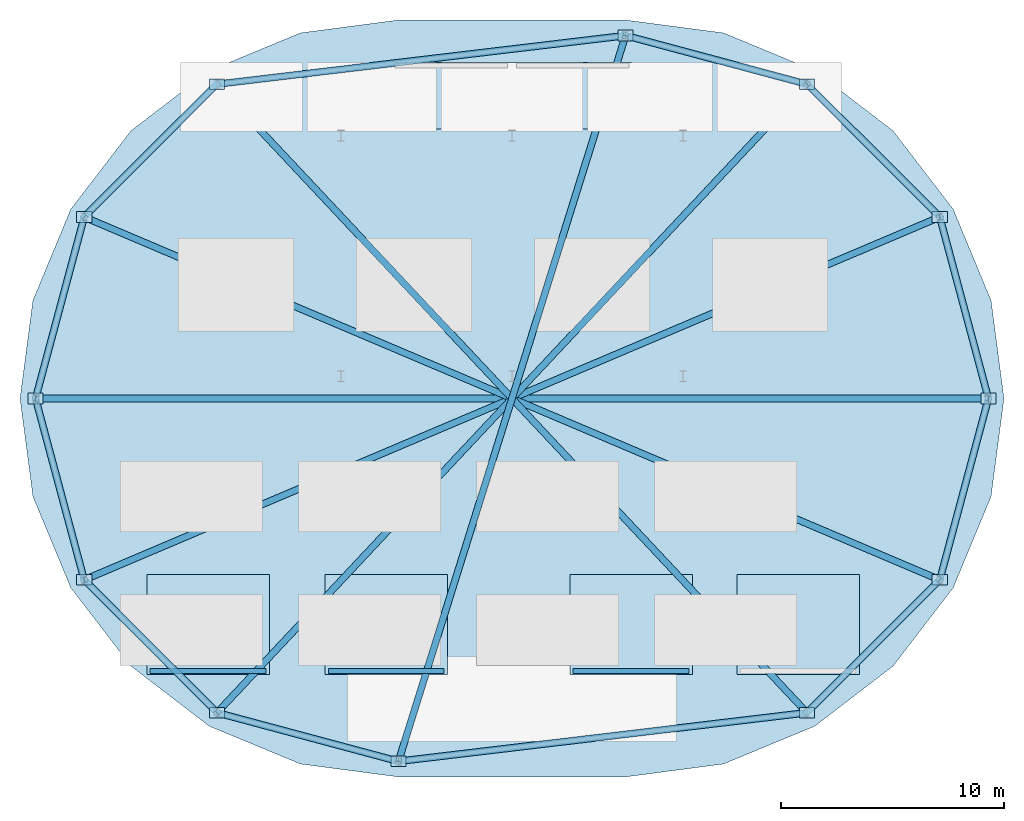
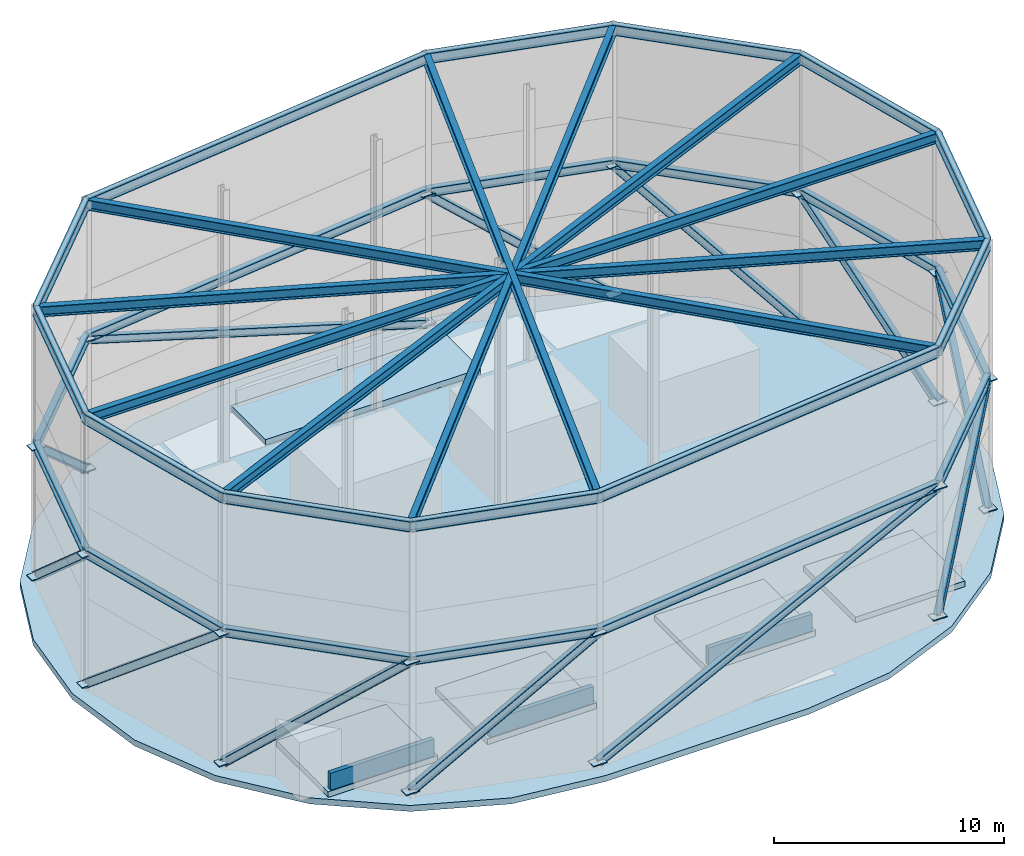
# One storey, part 3 of 5: 30 beams, 24 plates, 12 members, 6 slabs, 3 walls.
"""IFC4 building model written with IfcOpenShell, lengths in metres."""

from ifc_helpers import new_model, si_unit, direction, frame, frame_2d, origin, origin_2d, place, context, subcontext, project, spatial, polyline, rectangle, i_section, outline, extrude, material, layer, layer_set, material_profile, profile_set, type_object, element, save


model = new_model("IFC4")

# Units and contexts
model_context = context("Model", 3, precision=1e-05, world=origin(), true_north=direction((0.0, 1.0)))
body_context = subcontext(model_context, "Body", "Model", "MODEL_VIEW")
ifc_project = project(units=[si_unit("LENGTHUNIT", "METRE"), si_unit("AREAUNIT", "SQUARE_METRE"), si_unit("VOLUMEUNIT", "CUBIC_METRE"), si_unit("PLANEANGLEUNIT", "RADIAN"), si_unit("MASSUNIT", "GRAM", prefix="KILO")], contexts=[model_context])

# Site, building, storey
site_placement = place(None, origin())
site = spatial("IfcSite", under=ifc_project, at=site_placement, CompositionType="ELEMENT")
building_placement = place(site_placement, origin())
building = spatial("IfcBuilding", under=site, at=building_placement, Name="Yelkora Congress Tower", CompositionType="ELEMENT")
storey_placement = place(building_placement, frame((0.0, 0.0, 310.0)))
storey = spatial("IfcBuildingStorey", under=building, at=storey_placement, Name="Roof", CompositionType="ELEMENT", Elevation=310.0)

# Beams
ifc_material_1 = material(Name="Steel S355J2", Category="steel")
ifc_material_profile_1 = material_profile(ifc_material_1, i_section(OverallWidth=0.300048828125, OverallDepth=0.449951171875, WebThickness=0.013916015625, FlangeThickness=0.02587890625, FilletRadius=0.027099609375, at=origin_2d()), Name="HEB 450")
ifc_profile_set_1 = profile_set([ifc_material_profile_1], Name="Steel S355J2")
beam_type_1 = type_object("IfcBeamType", Name="BM-GIRD-HEB450E", PredefinedType="BEAM", material=ifc_profile_set_1)
beam_1_placement = place(storey_placement, frame((59.800048828125, 34.39990234375, 7.27490234375), z_axis=(-0.258820451859, 0.965925449349, 0.0), x_axis=(-0.965925449349, -0.258820451859, 0.0)))
element("IfcBeam", 1, at=beam_1_placement, inside=storey, type_object=beam_type_1, Name="Crown Ring Mid Girt 1", PredefinedType="BEAM", context=body_context, shape_type="SweptSolid", body=[
    extrude(i_section(OverallWidth=0.300048828125, OverallDepth=0.449951171875, WebThickness=0.013916015625, FlangeThickness=0.02587890625, FilletRadius=0.027099609375, at=origin_2d()), origin(), (0.0, 0.0, 1.0), 8.437744140625),
])
for number, where, z_axis, x_axis, name in (
    (2, (57.6162109375, 42.550048828125, 7.27490234375), (-0.707121248696, 0.707092313381, 0.0), (-0.707092313381, -0.707121248696, 0.0), "Crown Ring Mid Girt 2"),
    (3, (51.64990234375, 48.51611328125, 7.27490234375), (-0.965923510992, 0.258827685754, 0.0), (-0.258827685754, -0.965923510992, 0.0), "Crown Ring Mid Girt 3"),
):
    element("IfcBeam", number, at=place(storey_placement, frame(where, z_axis=z_axis, x_axis=x_axis)), inside=storey, type_object=beam_type_1, Name=name, PredefinedType="BEAM", context=body_context, shape_type="SweptSolid", body=[
        extrude(i_section(OverallWidth=0.300048828125, OverallDepth=0.449951171875, WebThickness=0.013916015625, FlangeThickness=0.02587890625, FilletRadius=0.027099609375, at=origin_2d()), origin(), (0.0, 0.0, 1.0), 8.4375),
    ])
beam_2_placement = place(storey_placement, frame((43.5, 50.699951171875, 7.27490234375), z_axis=(-0.992992704364, -0.118175670426, 0.0), x_axis=(0.118175670426, -0.992992704364, 0.0)))
element("IfcBeam", 4, at=beam_2_placement, inside=storey, type_object=beam_type_1, Name="Crown Ring Mid Girt 4", PredefinedType="BEAM", context=body_context, shape_type="SweptSolid", body=[
    extrude(i_section(OverallWidth=0.300048828125, OverallDepth=0.449951171875, WebThickness=0.013916015625, FlangeThickness=0.02587890625, FilletRadius=0.027099609375, at=origin_2d()), origin(), (0.0, 0.0, 1.0), 18.4794921875),
])
beam_3_placement = place(storey_placement, frame((25.14990234375, 48.51611328125, 7.27490234375), z_axis=(-0.707106781187, -0.707106781187, 0.0), x_axis=(0.707106781187, -0.707106781187, 0.0)))
element("IfcBeam", 5, at=beam_3_placement, inside=storey, type_object=beam_type_1, Name="Crown Ring Mid Girt 5", PredefinedType="BEAM", context=body_context, shape_type="SweptSolid", body=[
    extrude(i_section(OverallWidth=0.300048828125, OverallDepth=0.449951171875, WebThickness=0.013916015625, FlangeThickness=0.02587890625, FilletRadius=0.027099609375, at=origin_2d()), origin(), (0.0, 0.0, 1.0), 8.437255859375),
])
beam_4_placement = place(storey_placement, frame((19.183837890625, 42.550048828125, 7.27490234375), z_axis=(-0.258820451859, -0.965925449349, 0.0), x_axis=(0.965925449349, -0.258820451859, 0.0)))
element("IfcBeam", 6, at=beam_4_placement, inside=storey, type_object=beam_type_1, Name="Crown Ring Mid Girt 6", PredefinedType="BEAM", context=body_context, shape_type="SweptSolid", body=[
    extrude(i_section(OverallWidth=0.300048828125, OverallDepth=0.449951171875, WebThickness=0.013916015625, FlangeThickness=0.02587890625, FilletRadius=0.027099609375, at=origin_2d()), origin(), (0.0, 0.0, 1.0), 8.437744140625),
])
for number, where, z_axis, x_axis, name in (
    (7, (17.0, 34.39990234375, 7.27490234375), (0.258827685754, -0.965923510992, 0.0), (0.965923510992, 0.258827685754, 0.0), "Crown Ring Mid Girt 7"),
    (8, (19.183837890625, 26.25, 7.27490234375), (0.707092313381, -0.707121248696, 0.0), (0.707121248696, 0.707092313381, 0.0), "Crown Ring Mid Girt 8"),
    (9, (25.14990234375, 20.28369140625, 7.27490234375), (0.965932682725, -0.25879345518, 0.0), (0.25879345518, 0.965932682725, 0.0), "Crown Ring Mid Girt 9"),
):
    element("IfcBeam", number, at=place(storey_placement, frame(where, z_axis=z_axis, x_axis=x_axis)), inside=storey, type_object=beam_type_1, Name=name, PredefinedType="BEAM", context=body_context, shape_type="SweptSolid", body=[
        extrude(i_section(OverallWidth=0.300048828125, OverallDepth=0.449951171875, WebThickness=0.013916015625, FlangeThickness=0.02587890625, FilletRadius=0.027099609375, at=origin_2d()), origin(), (0.0, 0.0, 1.0), 8.4375),
    ])
beam_5_placement = place(storey_placement, frame((33.300048828125, 18.10009765625, 7.27490234375), z_axis=(0.992994070136, 0.118164193708, 0.0), x_axis=(-0.118164193708, 0.992994070136, 0.0)))
element("IfcBeam", 10, at=beam_5_placement, inside=storey, type_object=beam_type_1, Name="Crown Ring Mid Girt 10", PredefinedType="BEAM", context=body_context, shape_type="SweptSolid", body=[
    extrude(i_section(OverallWidth=0.300048828125, OverallDepth=0.449951171875, WebThickness=0.013916015625, FlangeThickness=0.02587890625, FilletRadius=0.027099609375, at=origin_2d()), origin(), (0.0, 0.0, 1.0), 18.479248046875),
])
beam_6_placement = place(storey_placement, frame((51.64990234375, 20.28369140625, 7.27490234375), z_axis=(0.707106781187, 0.707106781187, 0.0), x_axis=(-0.707106781187, 0.707106781187, 0.0)))
element("IfcBeam", 11, at=beam_6_placement, inside=storey, type_object=beam_type_1, Name="Crown Ring Mid Girt 11", PredefinedType="BEAM", context=body_context, shape_type="SweptSolid", body=[
    extrude(i_section(OverallWidth=0.300048828125, OverallDepth=0.449951171875, WebThickness=0.013916015625, FlangeThickness=0.02587890625, FilletRadius=0.027099609375, at=origin_2d()), origin(), (0.0, 0.0, 1.0), 8.437744140625),
])
beam_7_placement = place(storey_placement, frame((57.6162109375, 26.25, 7.27490234375), z_axis=(0.258827685754, 0.965923510992, 0.0), x_axis=(-0.965923510992, 0.258827685754, 0.0)))
element("IfcBeam", 12, at=beam_7_placement, inside=storey, type_object=beam_type_1, Name="Crown Ring Mid Girt 12", PredefinedType="BEAM", context=body_context, shape_type="SweptSolid", body=[
    extrude(i_section(OverallWidth=0.300048828125, OverallDepth=0.449951171875, WebThickness=0.013916015625, FlangeThickness=0.02587890625, FilletRadius=0.027099609375, at=origin_2d()), origin(), (0.0, 0.0, 1.0), 8.4375),
])
ifc_material_profile_2 = material_profile(ifc_material_1, i_section(OverallWidth=0.300048828125, OverallDepth=0.550048828125, WebThickness=0.014892578125, FlangeThickness=0.029052734375, FilletRadius=0.027099609375, at=origin_2d()), Name="HEB 550")
ifc_profile_set_2 = profile_set([ifc_material_profile_2], Name="Steel S355J2")
beam_type_2 = type_object("IfcBeamType", Name="BM-GIRD-HEB550", PredefinedType="BEAM", material=ifc_profile_set_2)
beam_8_placement = place(storey_placement, frame((59.800048828125, 34.39990234375, 14.405029296875), z_axis=(-1.0, 0.0, 0.0), x_axis=(0.0, -1.0, 0.0)))
element("IfcBeam", 13, at=beam_8_placement, inside=storey, type_object=beam_type_2, Name="Crown Top Cap Roof Girder 1", PredefinedType="BEAM", context=body_context, shape_type="SweptSolid", body=[
    extrude(i_section(OverallWidth=0.300048828125, OverallDepth=0.550048828125, WebThickness=0.014892578125, FlangeThickness=0.029052734375, FilletRadius=0.027099609375, at=origin_2d()), origin(), (0.0, 0.0, 1.0), 42.800048828125),
])
beam_9_placement = place(storey_placement, frame((57.6162109375, 42.550048828125, 14.405029296875), z_axis=(-0.920621344814, -0.390456578218, 0.0), x_axis=(0.390456578218, -0.920621344814, 0.0)))
element("IfcBeam", 14, at=beam_9_placement, inside=storey, type_object=beam_type_2, Name="Crown Top Cap Roof Girder 2", PredefinedType="BEAM", context=body_context, shape_type="SweptSolid", body=[
    extrude(i_section(OverallWidth=0.300048828125, OverallDepth=0.550048828125, WebThickness=0.014892578125, FlangeThickness=0.029052734375, FilletRadius=0.027099609375, at=origin_2d()), origin(), (0.0, 0.0, 1.0), 41.74609375),
])
beam_10_placement = place(storey_placement, frame((51.64990234375, 48.51611328125, 14.405029296875), z_axis=(-0.684382283086, -0.729123371315, 0.0), x_axis=(0.729123371315, -0.684382283086, 0.0)))
element("IfcBeam", 15, at=beam_10_placement, inside=storey, type_object=beam_type_2, Name="Crown Top Cap Roof Girder 3", PredefinedType="BEAM", context=body_context, shape_type="SweptSolid", body=[
    extrude(i_section(OverallWidth=0.300048828125, OverallDepth=0.550048828125, WebThickness=0.014892578125, FlangeThickness=0.029052734375, FilletRadius=0.027099609375, at=origin_2d()), origin(), (0.0, 0.0, 1.0), 38.720947265625),
])
beam_11_placement = place(storey_placement, frame((43.5, 50.699951171875, 14.405029296875), z_axis=(-0.298608279597, -0.954375762138, 0.0), x_axis=(0.954375762138, -0.298608279597, 0.0)))
element("IfcBeam", 16, at=beam_11_placement, inside=storey, type_object=beam_type_2, Name="Crown Top Cap Roof Girder 4", PredefinedType="BEAM", context=body_context, shape_type="SweptSolid", body=[
    extrude(i_section(OverallWidth=0.300048828125, OverallDepth=0.550048828125, WebThickness=0.014892578125, FlangeThickness=0.029052734375, FilletRadius=0.027099609375, at=origin_2d()), origin(), (0.0, 0.0, 1.0), 34.158203125),
])
beam_12_placement = place(storey_placement, frame((25.14990234375, 48.51611328125, 14.405029296875), z_axis=(0.684382283086, -0.729123371315, 0.0), x_axis=(0.729123371315, 0.684382283086, 0.0)))
element("IfcBeam", 17, at=beam_12_placement, inside=storey, type_object=beam_type_2, Name="Crown Top Cap Roof Girder 5", PredefinedType="BEAM", context=body_context, shape_type="SweptSolid", body=[
    extrude(i_section(OverallWidth=0.300048828125, OverallDepth=0.550048828125, WebThickness=0.014892578125, FlangeThickness=0.029052734375, FilletRadius=0.027099609375, at=origin_2d()), origin(), (0.0, 0.0, 1.0), 38.720947265625),
])
beam_13_placement = place(storey_placement, frame((19.183837890625, 42.550048828125, 14.405029296875), z_axis=(0.920621344814, -0.390456578218, 0.0), x_axis=(0.390456578218, 0.920621344814, 0.0)))
element("IfcBeam", 18, at=beam_13_placement, inside=storey, type_object=beam_type_2, Name="Crown Top Cap Roof Girder 6", PredefinedType="BEAM", context=body_context, shape_type="SweptSolid", body=[
    extrude(i_section(OverallWidth=0.300048828125, OverallDepth=0.550048828125, WebThickness=0.014892578125, FlangeThickness=0.029052734375, FilletRadius=0.027099609375, at=origin_2d()), origin(), (0.0, 0.0, 1.0), 41.74609375),
])
ifc_material_profile_3 = material_profile(ifc_material_1, i_section(OverallWidth=0.300048828125, OverallDepth=0.550048828125, WebThickness=0.014892578125, FlangeThickness=0.029052734375, FilletRadius=0.027099609375, at=origin_2d()), Name="HEB 550")
ifc_profile_set_3 = profile_set([ifc_material_profile_3], Name="Steel S355J2")
beam_type_3 = type_object("IfcBeamType", Name="BM-GIRD-HEB550E", PredefinedType="BEAM", material=ifc_profile_set_3)
beam_14_placement = place(storey_placement, frame((59.800048828125, 34.39990234375, 14.405029296875), z_axis=(-0.258820451859, 0.965925449349, 0.0), x_axis=(-0.965925449349, -0.258820451859, 0.0)))
element("IfcBeam", 19, at=beam_14_placement, inside=storey, type_object=beam_type_3, Name="Crown Ring Top Cap Beam 1", PredefinedType="BEAM", context=body_context, shape_type="SweptSolid", body=[
    extrude(i_section(OverallWidth=0.300048828125, OverallDepth=0.550048828125, WebThickness=0.014892578125, FlangeThickness=0.029052734375, FilletRadius=0.027099609375, at=origin_2d()), origin(), (0.0, 0.0, 1.0), 8.437744140625),
])
for number, where, z_axis, x_axis, name in (
    (20, (57.6162109375, 42.550048828125, 14.405029296875), (-0.707121248696, 0.707092313381, 0.0), (-0.707092313381, -0.707121248696, 0.0), "Crown Ring Top Cap Beam 2"),
    (21, (51.64990234375, 48.51611328125, 14.405029296875), (-0.965923510992, 0.258827685754, 0.0), (-0.258827685754, -0.965923510992, 0.0), "Crown Ring Top Cap Beam 3"),
):
    element("IfcBeam", number, at=place(storey_placement, frame(where, z_axis=z_axis, x_axis=x_axis)), inside=storey, type_object=beam_type_3, Name=name, PredefinedType="BEAM", context=body_context, shape_type="SweptSolid", body=[
        extrude(i_section(OverallWidth=0.300048828125, OverallDepth=0.550048828125, WebThickness=0.014892578125, FlangeThickness=0.029052734375, FilletRadius=0.027099609375, at=origin_2d()), origin(), (0.0, 0.0, 1.0), 8.4375),
    ])
beam_15_placement = place(storey_placement, frame((43.5, 50.699951171875, 14.405029296875), z_axis=(-0.992992704364, -0.118175670426, 0.0), x_axis=(0.118175670426, -0.992992704364, 0.0)))
element("IfcBeam", 22, at=beam_15_placement, inside=storey, type_object=beam_type_3, Name="Crown Ring Top Cap Beam 4", PredefinedType="BEAM", context=body_context, shape_type="SweptSolid", body=[
    extrude(i_section(OverallWidth=0.300048828125, OverallDepth=0.550048828125, WebThickness=0.014892578125, FlangeThickness=0.029052734375, FilletRadius=0.027099609375, at=origin_2d()), origin(), (0.0, 0.0, 1.0), 18.4794921875),
])
beam_16_placement = place(storey_placement, frame((25.14990234375, 48.51611328125, 14.405029296875), z_axis=(-0.707106781187, -0.707106781187, 0.0), x_axis=(0.707106781187, -0.707106781187, 0.0)))
element("IfcBeam", 23, at=beam_16_placement, inside=storey, type_object=beam_type_3, Name="Crown Ring Top Cap Beam 5", PredefinedType="BEAM", context=body_context, shape_type="SweptSolid", body=[
    extrude(i_section(OverallWidth=0.300048828125, OverallDepth=0.550048828125, WebThickness=0.014892578125, FlangeThickness=0.029052734375, FilletRadius=0.027099609375, at=origin_2d()), origin(), (0.0, 0.0, 1.0), 8.437255859375),
])
beam_17_placement = place(storey_placement, frame((19.183837890625, 42.550048828125, 14.405029296875), z_axis=(-0.258820451859, -0.965925449349, 0.0), x_axis=(0.965925449349, -0.258820451859, 0.0)))
element("IfcBeam", 24, at=beam_17_placement, inside=storey, type_object=beam_type_3, Name="Crown Ring Top Cap Beam 6", PredefinedType="BEAM", context=body_context, shape_type="SweptSolid", body=[
    extrude(i_section(OverallWidth=0.300048828125, OverallDepth=0.550048828125, WebThickness=0.014892578125, FlangeThickness=0.029052734375, FilletRadius=0.027099609375, at=origin_2d()), origin(), (0.0, 0.0, 1.0), 8.437744140625),
])
for number, where, z_axis, x_axis, name in (
    (25, (17.0, 34.39990234375, 14.405029296875), (0.258827685754, -0.965923510992, 0.0), (0.965923510992, 0.258827685754, 0.0), "Crown Ring Top Cap Beam 7"),
    (26, (19.183837890625, 26.25, 14.405029296875), (0.707092313381, -0.707121248696, 0.0), (0.707121248696, 0.707092313381, 0.0), "Crown Ring Top Cap Beam 8"),
    (27, (25.14990234375, 20.28369140625, 14.405029296875), (0.965932682725, -0.25879345518, 0.0), (0.25879345518, 0.965932682725, 0.0), "Crown Ring Top Cap Beam 9"),
):
    element("IfcBeam", number, at=place(storey_placement, frame(where, z_axis=z_axis, x_axis=x_axis)), inside=storey, type_object=beam_type_3, Name=name, PredefinedType="BEAM", context=body_context, shape_type="SweptSolid", body=[
        extrude(i_section(OverallWidth=0.300048828125, OverallDepth=0.550048828125, WebThickness=0.014892578125, FlangeThickness=0.029052734375, FilletRadius=0.027099609375, at=origin_2d()), origin(), (0.0, 0.0, 1.0), 8.4375),
    ])
beam_18_placement = place(storey_placement, frame((33.300048828125, 18.10009765625, 14.405029296875), z_axis=(0.992994070136, 0.118164193708, 0.0), x_axis=(-0.118164193708, 0.992994070136, 0.0)))
element("IfcBeam", 28, at=beam_18_placement, inside=storey, type_object=beam_type_3, Name="Crown Ring Top Cap Beam 10", PredefinedType="BEAM", context=body_context, shape_type="SweptSolid", body=[
    extrude(i_section(OverallWidth=0.300048828125, OverallDepth=0.550048828125, WebThickness=0.014892578125, FlangeThickness=0.029052734375, FilletRadius=0.027099609375, at=origin_2d()), origin(), (0.0, 0.0, 1.0), 18.479248046875),
])
beam_19_placement = place(storey_placement, frame((51.64990234375, 20.28369140625, 14.405029296875), z_axis=(0.707106781187, 0.707106781187, 0.0), x_axis=(-0.707106781187, 0.707106781187, 0.0)))
element("IfcBeam", 29, at=beam_19_placement, inside=storey, type_object=beam_type_3, Name="Crown Ring Top Cap Beam 11", PredefinedType="BEAM", context=body_context, shape_type="SweptSolid", body=[
    extrude(i_section(OverallWidth=0.300048828125, OverallDepth=0.550048828125, WebThickness=0.014892578125, FlangeThickness=0.029052734375, FilletRadius=0.027099609375, at=origin_2d()), origin(), (0.0, 0.0, 1.0), 8.437744140625),
])
beam_20_placement = place(storey_placement, frame((57.6162109375, 26.25, 14.405029296875), z_axis=(0.258827685754, 0.965923510992, 0.0), x_axis=(-0.965923510992, 0.258827685754, 0.0)))
element("IfcBeam", 30, at=beam_20_placement, inside=storey, type_object=beam_type_3, Name="Crown Ring Top Cap Beam 12", PredefinedType="BEAM", context=body_context, shape_type="SweptSolid", body=[
    extrude(i_section(OverallWidth=0.300048828125, OverallDepth=0.550048828125, WebThickness=0.014892578125, FlangeThickness=0.029052734375, FilletRadius=0.027099609375, at=origin_2d()), origin(), (0.0, 0.0, 1.0), 8.4375),
])

# Members
ifc_material_profile_4 = material_profile(ifc_material_1, i_section(OverallWidth=0.300048828125, OverallDepth=0.39990234375, WebThickness=0.013427734375, FlangeThickness=0.02392578125, FilletRadius=0.027099609375, at=origin_2d()), Name="HEB 400")
ifc_profile_set_4 = profile_set([ifc_material_profile_4], Name="Steel S355J2")
member_type = type_object("IfcMemberType", Name="MEM-CROWN-HEB400", PredefinedType="STRUT", material=ifc_profile_set_4)
member_1_placement = place(storey_placement, frame((59.800048828125, 34.39990234375, 0.300048828125), z_axis=(-0.200358265539, 0.747742870707, 0.633038043673), x_axis=(-0.965925449349, -0.258820451859, 0.0)))
element("IfcMember", 31, at=member_1_placement, inside=storey, type_object=member_type, Name="Crown Ring Wind Brace 1", PredefinedType="STRUT", context=body_context, shape_type="SweptSolid", body=[
    extrude(i_section(OverallWidth=0.300048828125, OverallDepth=0.39990234375, WebThickness=0.013427734375, FlangeThickness=0.02392578125, FilletRadius=0.027099609375, at=origin_2d()), origin(), (0.0, 0.0, 1.0), 10.899658203125),
])
for number, where, z_axis, x_axis, name in (
    (32, (57.6162109375, 42.550048828125, 0.300048828125), (-0.547392144028, 0.547369744808, 0.633046762195), (-0.707092313381, -0.707121248696, 0.0), "Crown Ring Wind Brace 2"),
    (33, (51.64990234375, 48.51611328125, 0.300048828125), (-0.747732995213, 0.200361621298, 0.633048646298), (-0.258827685754, -0.965923510992, 0.0), "Crown Ring Wind Brace 3"),
):
    element("IfcMember", number, at=place(storey_placement, frame(where, z_axis=z_axis, x_axis=x_axis)), inside=storey, type_object=member_type, Name=name, PredefinedType="STRUT", context=body_context, shape_type="SweptSolid", body=[
        extrude(i_section(OverallWidth=0.300048828125, OverallDepth=0.39990234375, WebThickness=0.013427734375, FlangeThickness=0.02392578125, FilletRadius=0.027099609375, at=origin_2d()), origin(), (0.0, 0.0, 1.0), 10.8994140625),
    ])
member_2_placement = place(storey_placement, frame((43.5, 50.699951171875, 0.300048828125), z_axis=(-0.930262676393, -0.110710194518, 0.349792232248), x_axis=(0.118175670426, -0.992992704364, 0.0)))
element("IfcMember", 34, at=member_2_placement, inside=storey, type_object=member_type, Name="Crown Ring Wind Brace 4", PredefinedType="STRUT", context=body_context, shape_type="SweptSolid", body=[
    extrude(i_section(OverallWidth=0.300048828125, OverallDepth=0.39990234375, WebThickness=0.013427734375, FlangeThickness=0.02392578125, FilletRadius=0.027099609375, at=origin_2d()), origin(), (0.0, 0.0, 1.0), 19.725830078125),
])
member_3_placement = place(storey_placement, frame((25.14990234375, 48.51611328125, 0.300048828125), z_axis=(-0.54737645618, -0.54737645618, 0.633054524065), x_axis=(0.707106781187, -0.707106781187, 0.0)))
element("IfcMember", 35, at=member_3_placement, inside=storey, type_object=member_type, Name="Crown Ring Wind Brace 5", PredefinedType="STRUT", context=body_context, shape_type="SweptSolid", body=[
    extrude(i_section(OverallWidth=0.300048828125, OverallDepth=0.39990234375, WebThickness=0.013427734375, FlangeThickness=0.02392578125, FilletRadius=0.027099609375, at=origin_2d()), origin(), (0.0, 0.0, 1.0), 10.8994140625),
])
member_4_placement = place(storey_placement, frame((19.183837890625, 42.550048828125, 0.300048828125), z_axis=(-0.200358265539, -0.747742870707, 0.633038043673), x_axis=(0.965925449349, -0.258820451859, 0.0)))
element("IfcMember", 36, at=member_4_placement, inside=storey, type_object=member_type, Name="Crown Ring Wind Brace 6", PredefinedType="STRUT", context=body_context, shape_type="SweptSolid", body=[
    extrude(i_section(OverallWidth=0.300048828125, OverallDepth=0.39990234375, WebThickness=0.013427734375, FlangeThickness=0.02392578125, FilletRadius=0.027099609375, at=origin_2d()), origin(), (0.0, 0.0, 1.0), 10.899658203125),
])
for number, where, z_axis, x_axis, name in (
    (37, (17.0, 34.39990234375, 0.300048828125), (0.200361621298, -0.747732995213, 0.633048646298), (0.965923510992, 0.258827685754, 0.0), "Crown Ring Wind Brace 7"),
    (38, (19.183837890625, 26.25, 0.300048828125), (0.547369744808, -0.547392144028, 0.633046762195), (0.707121248696, 0.707092313381, 0.0), "Crown Ring Wind Brace 8"),
):
    element("IfcMember", number, at=place(storey_placement, frame(where, z_axis=z_axis, x_axis=x_axis)), inside=storey, type_object=member_type, Name=name, PredefinedType="STRUT", context=body_context, shape_type="SweptSolid", body=[
        extrude(i_section(OverallWidth=0.300048828125, OverallDepth=0.39990234375, WebThickness=0.013427734375, FlangeThickness=0.02392578125, FilletRadius=0.027099609375, at=origin_2d()), origin(), (0.0, 0.0, 1.0), 10.8994140625),
    ])
member_5_placement = place(storey_placement, frame((25.14990234375, 20.28369140625, 0.300048828125), z_axis=(0.747746226268, -0.200336765651, 0.633040884486), x_axis=(0.25879345518, 0.965932682725, 0.0)))
element("IfcMember", 39, at=member_5_placement, inside=storey, type_object=member_type, Name="Crown Ring Wind Brace 9", PredefinedType="STRUT", context=body_context, shape_type="SweptSolid", body=[
    extrude(i_section(OverallWidth=0.300048828125, OverallDepth=0.39990234375, WebThickness=0.013427734375, FlangeThickness=0.02392578125, FilletRadius=0.027099609375, at=origin_2d()), origin(), (0.0, 0.0, 1.0), 10.899658203125),
])
member_6_placement = place(storey_placement, frame((33.300048828125, 18.10009765625, 0.300048828125), z_axis=(0.930262284947, 0.110699243977, 0.349796738963), x_axis=(-0.118164193708, 0.992994070136, 0.0)))
element("IfcMember", 40, at=member_6_placement, inside=storey, type_object=member_type, Name="Crown Ring Wind Brace 10", PredefinedType="STRUT", context=body_context, shape_type="SweptSolid", body=[
    extrude(i_section(OverallWidth=0.300048828125, OverallDepth=0.39990234375, WebThickness=0.013427734375, FlangeThickness=0.02392578125, FilletRadius=0.027099609375, at=origin_2d()), origin(), (0.0, 0.0, 1.0), 19.725341796875),
])
member_7_placement = place(storey_placement, frame((51.64990234375, 20.28369140625, 0.300048828125), z_axis=(0.547385432628, 0.547385432628, 0.633039000611), x_axis=(-0.707106781187, 0.707106781187, 0.0)))
element("IfcMember", 41, at=member_7_placement, inside=storey, type_object=member_type, Name="Crown Ring Wind Brace 11", PredefinedType="STRUT", context=body_context, shape_type="SweptSolid", body=[
    extrude(i_section(OverallWidth=0.300048828125, OverallDepth=0.39990234375, WebThickness=0.013427734375, FlangeThickness=0.02392578125, FilletRadius=0.027099609375, at=origin_2d()), origin(), (0.0, 0.0, 1.0), 10.899658203125),
])
member_8_placement = place(storey_placement, frame((57.6162109375, 26.25, 0.300048828125), z_axis=(0.200361621298, 0.747732995213, 0.633048646298), x_axis=(-0.965923510992, 0.258827685754, 0.0)))
element("IfcMember", 42, at=member_8_placement, inside=storey, type_object=member_type, Name="Crown Ring Wind Brace 12", PredefinedType="STRUT", context=body_context, shape_type="SweptSolid", body=[
    extrude(i_section(OverallWidth=0.300048828125, OverallDepth=0.39990234375, WebThickness=0.013427734375, FlangeThickness=0.02392578125, FilletRadius=0.027099609375, at=origin_2d()), origin(), (0.0, 0.0, 1.0), 10.8994140625),
])

# Plates
ifc_layer_1 = layer(ifc_material_1, 0.050048828125)
ifc_layer_set_1 = layer_set([ifc_layer_1], Name="Steel S355J2")
plate_type = type_object("IfcPlateType", Name="PLT-GUSSET-680x480-EXT", PredefinedType="USERDEFINED", material=ifc_layer_set_1)
for number, where, z_axis, x_axis, name in (
    (43, (59.800048828125, 34.39990234375, 0.27490234375), (0.0, 0.0, 1.0), (1.0, 0.0, 0.0), "Crown Wind Brace Foot Gusset 1"),
    (44, (57.6162109375, 42.550048828125, 7.1748046875), (0.0, 0.0, 1.0), (1.0, 0.0, 0.0), "Crown Wind Brace Top Gusset 1"),
    (45, (57.6162109375, 42.550048828125, 0.27490234375), (0.0, 0.0, 1.0), (1.0, 0.0, 0.0), "Crown Wind Brace Foot Gusset 2"),
    (46, (51.64990234375, 48.51611328125, 7.1748046875), (0.0, 0.0, 1.0), (1.0, 0.0, 0.0), "Crown Wind Brace Top Gusset 2"),
    (47, (51.64990234375, 48.51611328125, 0.27490234375), (0.0, 0.0, 1.0), (1.0, 0.0, 0.0), "Crown Wind Brace Foot Gusset 3"),
    (48, (43.5, 50.699951171875, 7.1748046875), (0.0, 0.0, 1.0), (1.0, 0.0, 0.0), "Crown Wind Brace Top Gusset 3"),
    (49, (43.5, 50.699951171875, 0.27490234375), (0.0, 0.0, 1.0), (1.0, 0.0, 0.0), "Crown Wind Brace Foot Gusset 4"),
    (50, (25.14990234375, 48.51611328125, 7.1748046875), (0.0, 0.0, 1.0), (1.0, 0.0, 0.0), "Crown Wind Brace Top Gusset 4"),
    (51, (25.14990234375, 48.51611328125, 0.27490234375), (0.0, 0.0, 1.0), (1.0, 0.0, 0.0), "Crown Wind Brace Foot Gusset 5"),
    (52, (19.183837890625, 42.550048828125, 7.1748046875), (0.0, 0.0, 1.0), (1.0, 0.0, 0.0), "Crown Wind Brace Top Gusset 5"),
    (53, (19.183837890625, 42.550048828125, 0.27490234375), (0.0, 0.0, 1.0), (1.0, 0.0, 0.0), "Crown Wind Brace Foot Gusset 6"),
    (54, (17.0, 34.39990234375, 7.1748046875), (0.0, 0.0, 1.0), (1.0, 0.0, 0.0), "Crown Wind Brace Top Gusset 6"),
    (55, (17.0, 34.39990234375, 0.27490234375), (0.0, 0.0, 1.0), (1.0, 0.0, 0.0), "Crown Wind Brace Foot Gusset 7"),
    (56, (19.183837890625, 26.25, 7.1748046875), (0.0, 0.0, 1.0), (1.0, 0.0, 0.0), "Crown Wind Brace Top Gusset 7"),
    (57, (19.183837890625, 26.25, 0.27490234375), (0.0, 0.0, 1.0), (1.0, 0.0, 0.0), "Crown Wind Brace Foot Gusset 8"),
    (58, (25.14990234375, 20.28369140625, 7.1748046875), (0.0, 0.0, 1.0), (1.0, 0.0, 0.0), "Crown Wind Brace Top Gusset 8"),
    (59, (25.14990234375, 20.28369140625, 0.27490234375), (0.0, 0.0, 1.0), (1.0, 0.0, 0.0), "Crown Wind Brace Foot Gusset 9"),
    (60, (33.300048828125, 18.10009765625, 7.1748046875), (0.0, 0.0, 1.0), (1.0, 0.0, 0.0), "Crown Wind Brace Top Gusset 9"),
    (61, (33.300048828125, 18.10009765625, 0.27490234375), (0.0, 0.0, 1.0), (1.0, 0.0, 0.0), "Crown Wind Brace Foot Gusset 10"),
    (62, (51.64990234375, 20.28369140625, 7.1748046875), (0.0, 0.0, 1.0), (1.0, 0.0, 0.0), "Crown Wind Brace Top Gusset 10"),
    (63, (51.64990234375, 20.28369140625, 0.27490234375), (0.0, 0.0, 1.0), (1.0, 0.0, 0.0), "Crown Wind Brace Foot Gusset 11"),
    (64, (57.6162109375, 26.25, 7.1748046875), (0.0, 0.0, 1.0), (1.0, 0.0, 0.0), "Crown Wind Brace Top Gusset 11"),
    (65, (57.6162109375, 26.25, 0.27490234375), (0.0, 0.0, 1.0), (1.0, 0.0, 0.0), "Crown Wind Brace Foot Gusset 12"),
    (66, (59.800048828125, 34.39990234375, 7.1748046875), (0.0, 0.0, 1.0), (1.0, 0.0, 0.0), "Crown Wind Brace Top Gusset 12"),
):
    element("IfcPlate", number, at=place(storey_placement, frame(where, z_axis=z_axis, x_axis=x_axis)), inside=storey, type_object=plate_type, Name=name, ObjectType="GUSSET_PLATE", PredefinedType="USERDEFINED", context=body_context, shape_type="SweptSolid", body=[
        extrude(rectangle(XDim=0.679931640625, YDim=0.47998046875, at=origin_2d()), origin(), (0.0, 0.0, 1.0), 0.050048828125),
    ])

# Slabs
ifc_material_2 = material(Name="Concrete C40/50", Category="concrete")
ifc_layer_2 = layer(ifc_material_2, 0.320068359375)
ifc_layer_set_2 = layer_set([ifc_layer_2], Name="Concrete C40/50")
slab_type_1 = type_object("IfcSlabType", Name="SLAB-CROWN-320", PredefinedType="ROOF", material=ifc_layer_set_2)
slab_1_placement = place(storey_placement, frame((0.0, 0.0, -0.320068359375)))
element("IfcSlab", 67, at=slab_1_placement, inside=storey, type_object=slab_type_1, Name="Roof Structural Floor Slab", PredefinedType="ROOF", context=body_context, shape_type="SweptSolid", body=[
    extrude(outline(polyline([(43.5, 17.39990234375), (47.89990234375, 17.979248046875), (52.0, 19.677490234375), (55.520751953125, 22.379150390625), (58.222412109375, 25.89990234375), (59.920654296875, 30.0), (60.5, 34.39990234375), (59.920654296875, 38.7998046875), (58.222412109375, 42.89990234375), (55.520751953125, 46.4208984375), (52.0, 49.122314453125), (47.89990234375, 50.82080078125), (43.5, 51.39990234375), (33.300048828125, 51.39990234375), (28.900146484375, 50.82080078125), (24.800048828125, 49.122314453125), (21.279296875, 46.4208984375), (18.57763671875, 42.89990234375), (16.87939453125, 38.7998046875), (16.300048828125, 34.39990234375), (16.87939453125, 30.0), (18.57763671875, 25.89990234375), (21.279296875, 22.379150390625), (24.800048828125, 19.677490234375), (28.900146484375, 17.979248046875), (33.300048828125, 17.39990234375), (43.5, 17.39990234375)])), origin(), (0.0, 0.0, 1.0), 0.320068359375),
])
ifc_layer_3 = layer(ifc_material_2, 0.300048828125)
ifc_layer_set_3 = layer_set([ifc_layer_3], Name="Concrete C40/50")
slab_type_2 = type_object("IfcSlabType", Name="SLAB-ROOF-300", PredefinedType="ROOF", material=ifc_layer_set_3)
slab_2_placement = place(storey_placement, origin())
element("IfcSlab", 68, at=slab_2_placement, inside=storey, type_object=slab_type_2, Name="Crown Acoustic Curb Roof Slab 1", PredefinedType="ROOF", context=body_context, shape_type="SweptSolid", body=[
    extrude(outline(polyline([(22.0, 22.0), (27.5, 22.0), (27.5, 26.5), (22.0, 26.5), (22.0, 22.0)])), origin(), (0.0, 0.0, 1.0), 0.300048828125),
])
slab_3_placement = place(storey_placement, origin())
element("IfcSlab", 69, at=slab_3_placement, inside=storey, type_object=slab_type_2, Name="Crown Acoustic Curb Roof Slab 2", PredefinedType="ROOF", context=body_context, shape_type="SweptSolid", body=[
    extrude(outline(polyline([(30.0, 22.0), (35.5, 22.0), (35.5, 26.5), (30.0, 26.5), (30.0, 22.0)])), origin(), (0.0, 0.0, 1.0), 0.300048828125),
])
slab_4_placement = place(storey_placement, origin())
element("IfcSlab", 70, at=slab_4_placement, inside=storey, type_object=slab_type_2, Name="Crown Acoustic Curb Roof Slab 3", PredefinedType="ROOF", context=body_context, shape_type="SweptSolid", body=[
    extrude(outline(polyline([(41.0, 22.0), (46.5, 22.0), (46.5, 26.5), (41.0, 26.5), (41.0, 22.0)])), origin(), (0.0, 0.0, 1.0), 0.300048828125),
])
slab_5_placement = place(storey_placement, origin())
element("IfcSlab", 71, at=slab_5_placement, inside=storey, type_object=slab_type_2, Name="Crown Acoustic Curb Roof Slab 4", PredefinedType="ROOF", context=body_context, shape_type="SweptSolid", body=[
    extrude(outline(polyline([(48.5, 22.0), (54.0, 22.0), (54.0, 26.5), (48.5, 26.5), (48.5, 22.0)])), origin(), (0.0, 0.0, 1.0), 0.300048828125),
])
slab_6_placement = place(storey_placement, origin())
element("IfcSlab", 72, at=slab_6_placement, inside=storey, type_object=slab_type_2, Name="Crown Acoustic Curb Roof Slab 5", PredefinedType="ROOF", context=body_context, shape_type="SweptSolid", body=[
    extrude(outline(polyline([(33.0, 46.5), (43.800048828125, 46.5), (43.800048828125, 49.5), (33.0, 49.5), (33.0, 46.5)])), origin(), (0.0, 0.0, 1.0), 0.300048828125),
])

# Walls
ifc_layer_4 = layer(ifc_material_2, 0.219970703125)
ifc_layer_set_4 = layer_set([ifc_layer_4], Name="Concrete C40/50")
wall_type = type_object("IfcWallType", Name="WALL-PARAPET-220", PredefinedType="PARAPET", material=ifc_layer_set_4)
for number, where, z_axis, x_axis, name in (
    (73, (22.14990234375, 22.14990234375, 0.25), (0.0, 0.0, 1.0), (1.0, 0.0, 0.0), "Crown Roof Acoustic Parapet 1"),
    (74, (30.14990234375, 22.14990234375, 0.25), (0.0, 0.0, 1.0), (1.0, 0.0, 0.0), "Crown Roof Acoustic Parapet 2"),
    (75, (41.14990234375, 22.14990234375, 0.25), (0.0, 0.0, 1.0), (1.0, 0.0, 0.0), "Crown Roof Acoustic Parapet 3"),
):
    element("IfcWall", number, at=place(storey_placement, frame(where, z_axis=z_axis, x_axis=x_axis)), inside=storey, type_object=wall_type, Name=name, PredefinedType="PARAPET", context=body_context, shape_type="SweptSolid", body=[
        extrude(rectangle(XDim=5.2001953125, YDim=0.219970703125, at=frame_2d((2.60009765625, 0.0))), origin(), (0.0, 0.0, 1.0), 0.949951171875),
    ])

save(model, "model.ifc")
